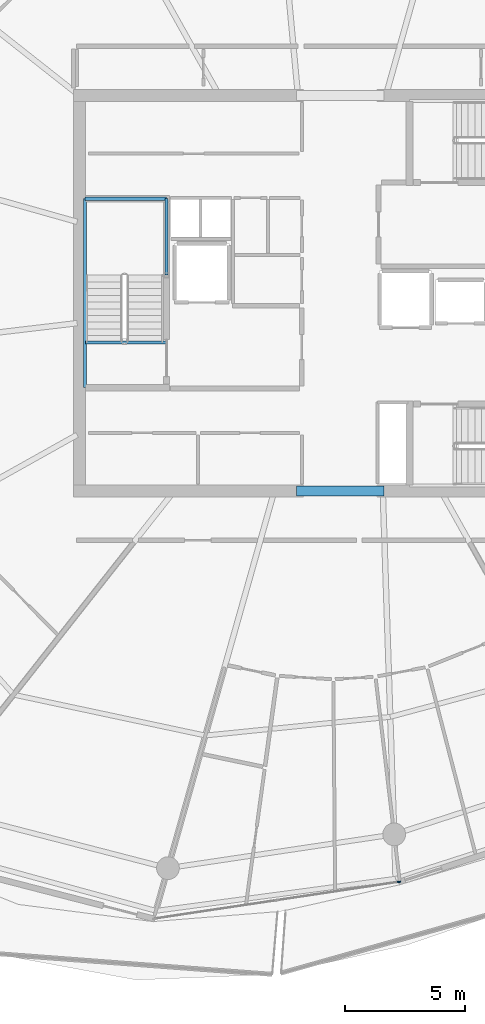
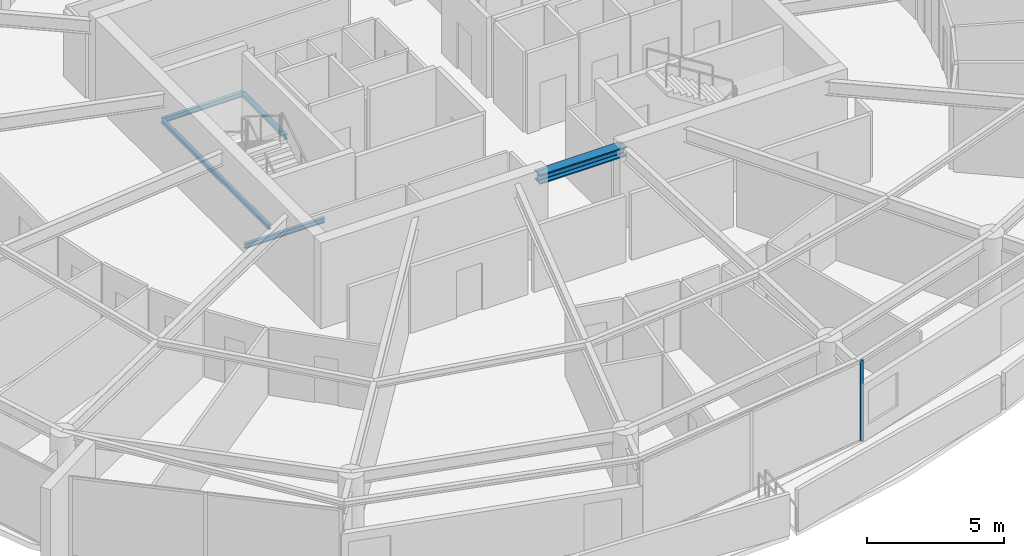
# One storey, part 9 of 30: 5 beams, 1 member, 1 element without a shape of its own.
"""IFC4 building model written with IfcOpenShell, lengths in metres."""

from ifc_helpers import new_model, si_unit, direction, frame, origin, origin_2d, place, context, subcontext, project, spatial, rectangle, i_section, extrude, material, layer, layer_set, material_profile, profile_set, type_object, element, aggregate, save


model = new_model("IFC4")

# Units and contexts
model_context = context("Model", 3, precision=1e-05, world=origin(), true_north=direction((0.0, 1.0)))
body_context = subcontext(model_context, "Body", "Model", "MODEL_VIEW")
ifc_project = project(units=[si_unit("LENGTHUNIT", "METRE"), si_unit("AREAUNIT", "SQUARE_METRE"), si_unit("VOLUMEUNIT", "CUBIC_METRE"), si_unit("PLANEANGLEUNIT", "RADIAN"), si_unit("MASSUNIT", "GRAM", prefix="KILO")], contexts=[model_context])

# Site, building, storey
site_placement = place(None, origin())
site = spatial("IfcSite", under=ifc_project, at=site_placement, CompositionType="ELEMENT")
building_placement = place(site_placement, origin())
building = spatial("IfcBuilding", under=site, at=building_placement, Name="Kazma Halo Residences", CompositionType="ELEMENT")
storey_placement = place(building_placement, frame((0.0, 0.0, 298.300048828125)))
storey = spatial("IfcBuildingStorey", under=building, at=storey_placement, Name="L75", CompositionType="ELEMENT", Elevation=298.300048828125)

# Beams
ifc_material_1 = material(Name="Steel S355", Category="steel")
ifc_material_profile_1 = material_profile(ifc_material_1, i_section(OverallWidth=0.408935546875, OverallDepth=0.425048828125, WebThickness=0.03271484375, FlangeThickness=0.052490234375, FilletRadius=0.02001953125, at=origin_2d()), Name="W360x421")
ifc_profile_set_1 = profile_set([ifc_material_profile_1], Name="Steel S355")
beam_type_1 = type_object("IfcBeamType", Name="BM-CORE-W360H", PredefinedType="BEAM", material=ifc_profile_set_1)
beam_1_placement = place(storey_placement, frame((46.60009765625, 33.75, 3.37744140625), z_axis=(1.0, 0.0, 0.0), x_axis=(0.0, 1.0, 0.0)))
element("IfcBeam", 1, at=beam_1_placement, inside=storey, type_object=beam_type_1, Name="L75 core coupling beam S", PredefinedType="BEAM", context=body_context, shape_type="SweptSolid", body=[
    extrude(i_section(OverallWidth=0.408935546875, OverallDepth=0.425048828125, WebThickness=0.03271484375, FlangeThickness=0.052490234375, FilletRadius=0.02001953125, at=origin_2d()), origin(), (0.0, 0.0, 1.0), 3.64990234375),
])
ifc_material_profile_2 = material_profile(ifc_material_1, i_section(OverallWidth=0.133056640625, OverallDepth=0.20703125, WebThickness=0.005859375, FlangeThickness=0.00830078125, FilletRadius=0.010009765625, at=origin_2d()), Name="W200x26.6")
ifc_profile_set_2 = profile_set([ifc_material_profile_2], Name="Steel S355")
beam_type_2 = type_object("IfcBeamType", Name="BM-TRIM-W200", PredefinedType="BEAM", material=ifc_profile_set_2)
beam_2_placement = place(storey_placement, frame((37.800048828125, 39.949951171875, -0.3701171875), z_axis=(1.0, 0.0, 0.0), x_axis=(0.0, 1.0, 0.0)))
element("IfcBeam", 2, at=beam_2_placement, inside=storey, type_object=beam_type_2, Name="L75 ST-01 floor landing support beam", PredefinedType="BEAM", context=body_context, shape_type="SweptSolid", body=[
    extrude(i_section(OverallWidth=0.133056640625, OverallDepth=0.20703125, WebThickness=0.005859375, FlangeThickness=0.00830078125, FilletRadius=0.010009765625, at=origin_2d()), origin(), (0.0, 0.0, 1.0), 3.3798828125),
])
beam_3_placement = place(storey_placement, frame((37.780029296875, 38.06005859375, 1.619873046875), z_axis=(0.0, 1.0, 0.0), x_axis=(-1.0, 0.0, 0.0)))
element("IfcBeam", 3, at=beam_3_placement, inside=storey, type_object=beam_type_2, Name="L75 ST-01 landing west wall ledger", PredefinedType="BEAM", context=body_context, shape_type="SweptSolid", body=[
    extrude(i_section(OverallWidth=0.133056640625, OverallDepth=0.20703125, WebThickness=0.005859375, FlangeThickness=0.00830078125, FilletRadius=0.010009765625, at=origin_2d()), origin(), (0.0, 0.0, 1.0), 7.8798828125),
])
beam_4_placement = place(storey_placement, frame((41.179931640625, 42.75, 1.619873046875), z_axis=(0.0, 1.0, 0.0), x_axis=(-1.0, 0.0, 0.0)))
element("IfcBeam", 4, at=beam_4_placement, inside=storey, type_object=beam_type_2, Name="L75 ST-01 landing east wall ledger", PredefinedType="BEAM", context=body_context, shape_type="SweptSolid", body=[
    extrude(i_section(OverallWidth=0.133056640625, OverallDepth=0.20703125, WebThickness=0.005859375, FlangeThickness=0.00830078125, FilletRadius=0.010009765625, at=origin_2d()), origin(), (0.0, 0.0, 1.0), 3.18994140625),
])
beam_5_placement = place(storey_placement, frame((37.780029296875, 45.93994140625, 1.619873046875), z_axis=(1.0, 0.0, 0.0), x_axis=(0.0, 1.0, 0.0)))
element("IfcBeam", 5, at=beam_5_placement, inside=storey, type_object=beam_type_2, Name="L75 ST-01 landing end wall ledger", PredefinedType="BEAM", context=body_context, shape_type="SweptSolid", body=[
    extrude(i_section(OverallWidth=0.133056640625, OverallDepth=0.20703125, WebThickness=0.005859375, FlangeThickness=0.00830078125, FilletRadius=0.010009765625, at=origin_2d()), origin(), (0.0, 0.0, 1.0), 3.39990234375),
])

# Curtain wall, member
ifc_material_2 = material(Name="Aluminium AW-6063 T6 and Triple-Silver Low-E Glass", Category="aluminium")
ifc_layer = layer(ifc_material_2, 0.139892578125)
ifc_layer_set = layer_set([ifc_layer], Name="Aluminium AW-6063 T6 and Triple-Silver Low-E Glass")
curtain_wall_type = type_object("IfcCurtainWallType", Name="CW-SYS-5", PredefinedType="NOTDEFINED", material=ifc_layer_set)
curtain_wall_placement = place(storey_placement, origin())
curtain_wall = element("IfcCurtainWall", 6, at=curtain_wall_placement, inside=storey, type_object=curtain_wall_type, Name="L75 unitised curtain wall B11", PredefinedType="NOTDEFINED")
ifc_material_3 = material(Name="Aluminium AW-6063 T6", Category="aluminium")
ifc_material_profile_3 = material_profile(ifc_material_3, rectangle(XDim=0.06005859375, YDim=0.139892578125, at=origin_2d()), Name="CWM-60x140")
ifc_profile_set_3 = profile_set([ifc_material_profile_3], Name="Aluminium AW-6063 T6")
member_type = type_object("IfcMemberType", Name="CW-SYS-5-MUL", PredefinedType="MULLION", material=ifc_profile_set_3)
member_placement = place(storey_placement, frame((50.875732421875, 17.447265625, 0.0), z_axis=(0.0, 0.0, 1.0), x_axis=(-0.148697080374, 0.988882792998, 0.0)))
member = element("IfcMember", 7, at=member_placement, type_object=member_type, Name="CWS-5 mullion 3", PredefinedType="MULLION", context=body_context, shape_type="SweptSolid", body=[
    extrude(rectangle(XDim=0.06005859375, YDim=0.139892578125, at=origin_2d()), origin(), (0.0, 0.0, 1.0), 3.58984375),
])
aggregate(curtain_wall, [member])

save(model, "model.ifc")
